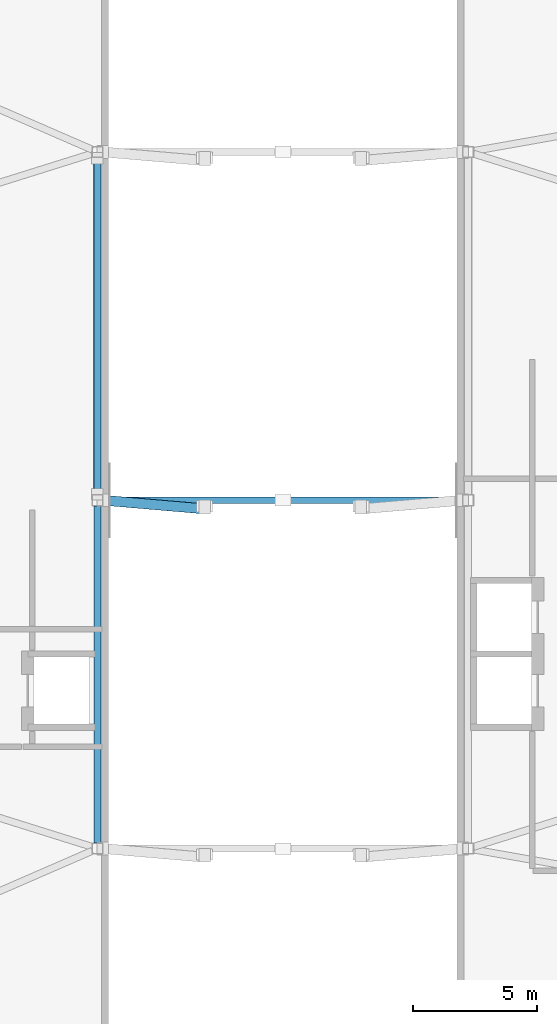
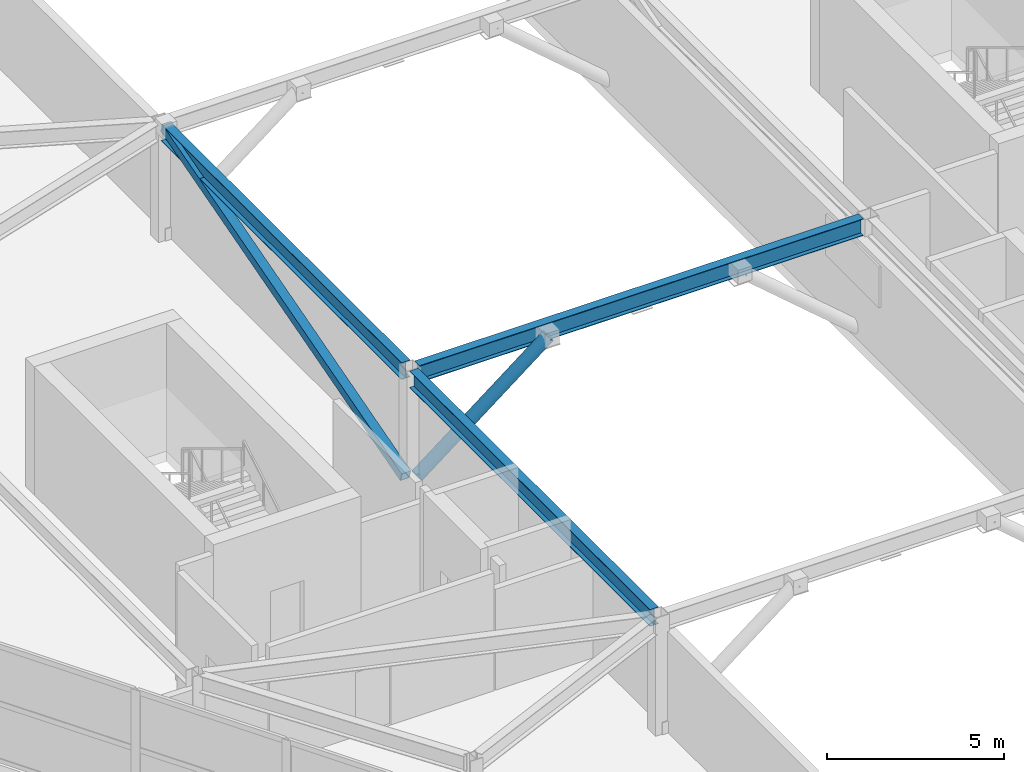
# One storey, part 6 of 16: 3 beams, 2 members.
"""IFC4 building model written with IfcOpenShell, lengths in metres."""

from ifc_helpers import new_model, si_unit, direction, frame, origin, origin_2d, place, context, subcontext, project, spatial, hollow_rectangle, hollow_circle, i_section, extrude, material, material_profile, profile_set, type_object, element, save


model = new_model("IFC4")

# Units and contexts
model_context = context("Model", 3, precision=1e-05, world=origin(), true_north=direction((0.0, 1.0)))
body_context = subcontext(model_context, "Body", "Model", "MODEL_VIEW")
ifc_project = project(units=[si_unit("LENGTHUNIT", "METRE"), si_unit("AREAUNIT", "SQUARE_METRE"), si_unit("VOLUMEUNIT", "CUBIC_METRE"), si_unit("PLANEANGLEUNIT", "RADIAN"), si_unit("MASSUNIT", "GRAM", prefix="KILO")], contexts=[model_context])

# Site, building, storey
site_placement = place(None, origin())
site = spatial("IfcSite", under=ifc_project, at=site_placement, CompositionType="ELEMENT")
building_placement = place(site_placement, origin())
building = spatial("IfcBuilding", under=site, at=building_placement, Name="Zuhravey Tower", CompositionType="ELEMENT")
storey_placement = place(building_placement, frame((0.0, 0.0, 365.800048828125)))
storey = spatial("IfcBuildingStorey", under=building, at=storey_placement, Name="L93", CompositionType="ELEMENT", Elevation=365.800048828125)

# Member
ifc_material = material(Name="Steel SM355", Category="steel")
ifc_material_profile_1 = material_profile(ifc_material, hollow_rectangle(XDim=0.300048828125, YDim=0.300048828125, WallThickness=0.01611328125, at=origin_2d()), Name="RHS-300x300x16")
ifc_profile_set_1 = profile_set([ifc_material_profile_1], Name="Steel SM355")
member_type_1 = type_object("IfcMemberType", Name="Crown Frame Strut RHS300x300", PredefinedType="STRUT", material=ifc_profile_set_1)
member_1_placement = place(storey_placement, frame((28.550048828125, 32.249267578125, 0.10546875), z_axis=(0.0, 0.961870384353, 0.273505692271), x_axis=(-1.0, 0.0, 0.0)))
element("IfcMember", 1, at=member_1_placement, inside=storey, type_object=member_type_1, Name="L93 West Crest Portal Frame Strut CFS1", PredefinedType="STRUT", context=body_context, shape_type="SweptSolid", body=[
    extrude(hollow_rectangle(XDim=0.300048828125, YDim=0.300048828125, WallThickness=0.01611328125, at=origin_2d()), origin(), (0.0, 0.0, 1.0), 14.03662109375),
])

# Beams
ifc_material_profile_2 = material_profile(ifc_material, i_section(OverallWidth=0.280029296875, OverallDepth=0.580078125, WebThickness=0.011962890625, FlangeThickness=0.01904296875, at=origin_2d()), Name="H-580x280x12x19")
ifc_profile_set_2 = profile_set([ifc_material_profile_2], Name="Steel SM355")
beam_type = type_object("IfcBeamType", Name="Perimeter Ring Beam H580x280", PredefinedType="BEAM", material=ifc_profile_set_2)
for number, where, z_axis, x_axis, name in (
    (2, (28.550048828125, 18.22900390625, 3.760009765625), (0.0, 1.0, 0.0), (-1.0, 0.0, 0.0), "L93 PB4 BM-L93-WCR-4-5"),
    (3, (28.550048828125, 32.22900390625, 3.760009765625), (0.0, 1.0, 0.0), (-1.0, 0.0, 0.0), "L93 PB4 BM-L93-WCR-5-6"),
):
    element("IfcBeam", number, at=place(storey_placement, frame(where, z_axis=z_axis, x_axis=x_axis)), inside=storey, type_object=beam_type, Name=name, PredefinedType="BEAM", context=body_context, shape_type="SweptSolid", body=[
        extrude(i_section(OverallWidth=0.280029296875, OverallDepth=0.580078125, WebThickness=0.011962890625, FlangeThickness=0.01904296875, at=origin_2d()), origin(), (0.0, 0.0, 1.0), 13.5419921875),
    ])
beam_placement = place(storey_placement, frame((28.780029296875, 32.0, 3.7548828125), z_axis=(1.0, 0.0, 0.0), x_axis=(0.0, 1.0, 0.0)))
element("IfcBeam", 4, at=beam_placement, inside=storey, type_object=beam_type, Name="L93 Wind-Portal Tie Girder PB4-2", PredefinedType="BEAM", context=body_context, shape_type="SweptSolid", body=[
    extrude(i_section(OverallWidth=0.280029296875, OverallDepth=0.580078125, WebThickness=0.011962890625, FlangeThickness=0.01904296875, at=origin_2d()), origin(), (0.0, 0.0, 1.0), 14.43994140625),
])

# Member
ifc_material_profile_3 = material_profile(ifc_material, hollow_circle(Radius=0.203125, WallThickness=0.02001953125, at=origin_2d()), Name="CHS-406.4x20")
ifc_profile_set_3 = profile_set([ifc_material_profile_3], Name="Steel SM355")
member_type_2 = type_object("IfcMemberType", Name="Wind-Portal Arch Brace CHS406x20", PredefinedType="BRACE", material=ifc_profile_set_3)
member_2_placement = place(storey_placement, frame((28.780517578125, 31.999755859375, 0.18115234375), z_axis=(0.747100108009, -0.063850111259, 0.661637810214), x_axis=(0.085153511528, 0.996367843457, 0.0)))
element("IfcMember", 5, at=member_2_placement, inside=storey, type_object=member_type_2, Name="L93 Wind-Portal Arch Brace WPB1-2W", PredefinedType="BRACE", context=body_context, shape_type="SweptSolid", body=[
    extrude(hollow_circle(Radius=0.203125, WallThickness=0.02001953125, at=origin_2d()), origin(), (0.0, 0.0, 1.0), 5.44482421875),
])

save(model, "model.ifc")
